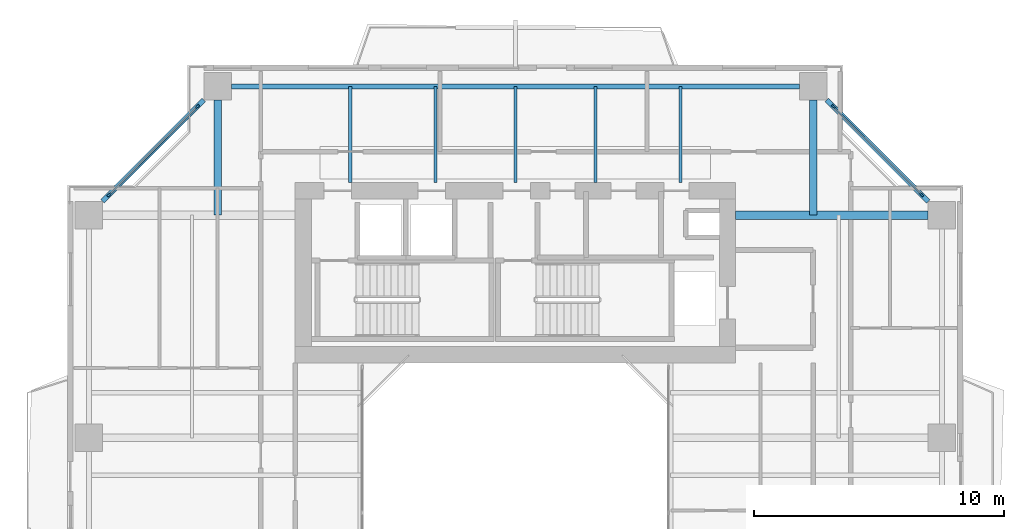
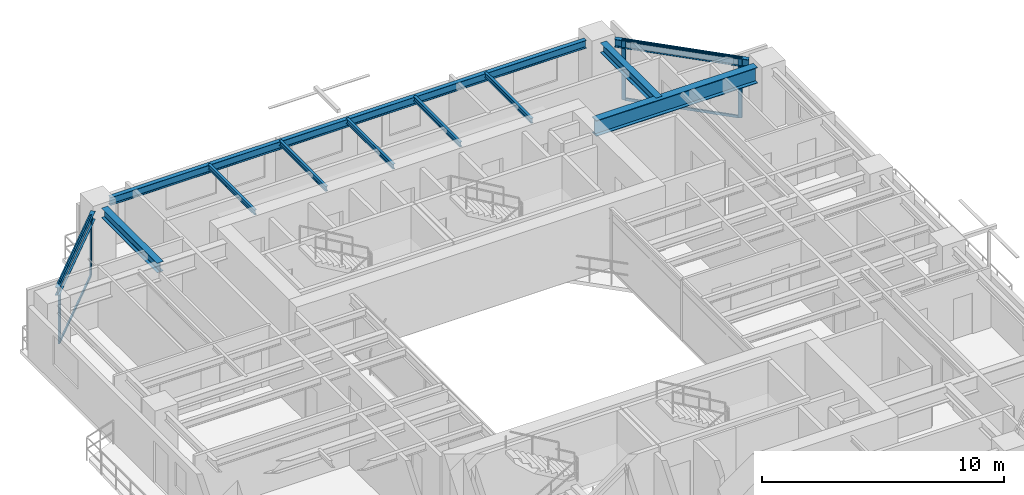
# One storey, part 8 of 16: 11 beams, 8 members, 2 elements without a shape of their own.
"""IFC4 building model written with IfcOpenShell, lengths in metres."""

from ifc_helpers import new_model, si_unit, direction, frame, origin, origin_2d, place, context, subcontext, project, spatial, rectangle, i_section, extrude, source, transform, mapped, material, layer, layer_set, material_profile, profile_set, type_object, element, aggregate, save


model = new_model("IFC4")

# Units and contexts
model_context = context("Model", 3, precision=1e-05, world=origin(), true_north=direction((0.0, 1.0)))
body_context = subcontext(model_context, "Body", "Model", "MODEL_VIEW")
ifc_project = project(units=[si_unit("LENGTHUNIT", "METRE"), si_unit("AREAUNIT", "SQUARE_METRE"), si_unit("VOLUMEUNIT", "CUBIC_METRE"), si_unit("PLANEANGLEUNIT", "RADIAN"), si_unit("MASSUNIT", "GRAM", prefix="KILO"), si_unit("THERMODYNAMICTEMPERATUREUNIT", "KELVIN"), si_unit("POWERUNIT", "WATT")], contexts=[model_context])

# Site, building, storey
site_placement = place(None, origin())
site = spatial("IfcSite", under=ifc_project, at=site_placement, CompositionType="ELEMENT")
building_placement = place(site_placement, origin())
building = spatial("IfcBuilding", under=site, at=building_placement, Name="Qiaomeng Ring Towers", CompositionType="ELEMENT")
storey_placement = place(building_placement, frame((0.0, 0.0, 136.0)))
storey = spatial("IfcBuildingStorey", under=building, at=storey_placement, Name="L39", CompositionType="ELEMENT", Elevation=136.0)

# Beams
ifc_material_1 = material(Name="Steel Q355B", Category="steel")
ifc_material_profile_1 = material_profile(ifc_material_1, i_section(OverallWidth=0.199951171875, OverallDepth=0.39990234375, WebThickness=0.008056640625, FlangeThickness=0.012939453125, FilletRadius=0.01611328125, at=origin_2d()), Name="HN 400x200x8x13")
ifc_profile_set_1 = profile_set([ifc_material_profile_1], Name="Steel Q355B")
beam_type_1 = type_object("IfcBeamType", Name="STR-BM-HN400", PredefinedType="SPANDREL", material=ifc_profile_set_1)
shared_shape_1 = source(origin(), body_context, "Body", "SweptSolid", [
    extrude(i_section(OverallWidth=0.199951171875, OverallDepth=0.39990234375, WebThickness=0.008056640625, FlangeThickness=0.012939453125, FilletRadius=0.01611328125, at=origin_2d()), origin(), (0.0, 0.0, 1.0), 22.7021484375),
])
beam_1_placement = place(storey_placement, frame((30.35107421875, 40.050048828125, 2.830078125), z_axis=(-1.0, 0.0, 0.0), x_axis=(0.0, -1.0, 0.0)))
element("IfcBeam", 1, at=beam_1_placement, inside=storey, type_object=beam_type_1, Name="L39 beam STR-SP-L39-T1-N2-N1", PredefinedType="SPANDREL", context=body_context, shape_type="MappedRepresentation", body=[
    mapped(shared_shape_1, transform((0.0, 0.0, 0.0), x_axis=(1.0, 0.0, 0.0), y_axis=(0.0, 1.0, 0.0), z_axis=(0.0, 0.0, 1.0), scale=1.0)),
])
shared_shape_2 = source(origin(), body_context, "Body", "SweptSolid", [
    extrude(i_section(OverallWidth=0.199951171875, OverallDepth=0.39990234375, WebThickness=0.008056640625, FlangeThickness=0.012939453125, FilletRadius=0.01611328125, at=origin_2d()), origin(), (0.0, 0.0, 1.0), 5.729736328125),
])
for number, where, z_axis, x_axis, name in (
    (2, (35.500732421875, 35.44921875, 2.830078125), (-0.707106781187, 0.707106781187, 0.0), (-0.707106781187, -0.707106781187, 0.0), "L39 beam STR-SP-L39-T1-E4-N2"),
    (3, (6.55078125, 39.500732421875, 2.830078125), (-0.707106781187, -0.707106781187, 0.0), (0.707106781187, -0.707106781187, 0.0), "L39 beam STR-SP-L39-T1-N1-W4"),
):
    element("IfcBeam", number, at=place(storey_placement, frame(where, z_axis=z_axis, x_axis=x_axis)), inside=storey, type_object=beam_type_1, Name=name, PredefinedType="SPANDREL", context=body_context, shape_type="MappedRepresentation", body=[
        mapped(shared_shape_2, transform((0.0, 0.0, 0.0), x_axis=(1.0, 0.0, 0.0), y_axis=(0.0, 1.0, 0.0), z_axis=(0.0, 0.0, 1.0), scale=1.0)),
    ])
ifc_material_2 = material(Name="Steel Q390GJC", Category="steel")
ifc_material_profile_2 = material_profile(ifc_material_2, i_section(OverallWidth=0.35009765625, OverallDepth=0.800048828125, WebThickness=0.01611328125, FlangeThickness=0.028076171875, at=origin_2d()), Name="WH 800x350x16x28")
ifc_profile_set_2 = profile_set([ifc_material_profile_2], Name="Steel Q390GJC")
beam_type_2 = type_object("IfcBeamType", Name="STR-BM-WH800", PredefinedType="BEAM", material=ifc_profile_set_2)
shared_shape_3 = source(origin(), body_context, "Body", "SweptSolid", [
    extrude(i_section(OverallWidth=0.35009765625, OverallDepth=0.800048828125, WebThickness=0.01611328125, FlangeThickness=0.028076171875, at=origin_2d()), origin(), (0.0, 0.0, 1.0), 7.700927734375),
])
beam_2_placement = place(storey_placement, frame((27.800048828125, 34.89990234375, 2.6298828125), z_axis=(1.0, 0.0, 0.0), x_axis=(0.0, 1.0, 0.0)))
element("IfcBeam", 4, at=beam_2_placement, inside=storey, type_object=beam_type_2, Name="L39 beam STR-BM-L39-T1-RAD-E4", PredefinedType="BEAM", context=body_context, shape_type="MappedRepresentation", body=[
    mapped(shared_shape_3, transform((0.0, 0.0, 0.0), x_axis=(1.0, 0.0, 0.0), y_axis=(0.0, 1.0, 0.0), z_axis=(0.0, 0.0, 1.0), scale=1.0)),
])
ifc_material_profile_3 = material_profile(ifc_material_1, i_section(OverallWidth=0.300048828125, OverallDepth=0.488037109375, WebThickness=0.010986328125, FlangeThickness=0.01806640625, FilletRadius=0.02587890625, at=origin_2d()), Name="HM 488x300x11x18")
ifc_profile_set_3 = profile_set([ifc_material_profile_3], Name="Steel Q355B")
beam_type_3 = type_object("IfcBeamType", Name="STR-BM-HM488", PredefinedType="BEAM", material=ifc_profile_set_3)
shared_shape_4 = source(origin(), body_context, "Body", "SweptSolid", [
    extrude(i_section(OverallWidth=0.300048828125, OverallDepth=0.488037109375, WebThickness=0.010986328125, FlangeThickness=0.01806640625, FilletRadius=0.02587890625, at=origin_2d()), origin(), (0.0, 0.0, 1.0), 4.60107421875),
])
for number, where, z_axis, x_axis, name in (
    (5, (7.10009765625, 39.5009765625, 2.785888671875), (0.0, -1.0, 0.0), (1.0, 0.0, 0.0), "L39 beam STR-BM-L39-T1-RAD-N1"),
    (6, (30.89990234375, 39.5009765625, 2.785888671875), (0.0, -1.0, 0.0), (1.0, 0.0, 0.0), "L39 beam STR-BM-L39-T1-RAD-N2"),
):
    element("IfcBeam", number, at=place(storey_placement, frame(where, z_axis=z_axis, x_axis=x_axis)), inside=storey, type_object=beam_type_3, Name=name, PredefinedType="BEAM", context=body_context, shape_type="MappedRepresentation", body=[
        mapped(shared_shape_4, transform((0.0, 0.0, 0.0), x_axis=(1.0, 0.0, 0.0), y_axis=(0.0, 1.0, 0.0), z_axis=(0.0, 0.0, 1.0), scale=1.0)),
    ])
ifc_material_profile_4 = material_profile(ifc_material_1, i_section(OverallWidth=0.125, OverallDepth=0.25, WebThickness=0.006103515625, FlangeThickness=0.009033203125, FilletRadius=0.011962890625, at=origin_2d()), Name="HN 250x125x6x9")
ifc_profile_set_4 = profile_set([ifc_material_profile_4], Name="Steel Q355B")
beam_type_4 = type_object("IfcBeamType", Name="STR-BM-HN250", PredefinedType="JOIST", material=ifc_profile_set_4)
shared_shape_5 = source(origin(), body_context, "Body", "SweptSolid", [
    extrude(i_section(OverallWidth=0.125, OverallDepth=0.25, WebThickness=0.006103515625, FlangeThickness=0.009033203125, FilletRadius=0.011962890625, at=origin_2d()), origin(), (0.0, 0.0, 1.0), 3.85009765625),
])
for number, where, z_axis, x_axis, name in (
    (7, (12.39990234375, 36.199951171875, 2.905029296875), (0.0, 1.0, 0.0), (-1.0, 0.0, 0.0), "L39 beam STR-JST-L39-T1N-1"),
    (8, (15.800048828125, 36.199951171875, 2.905029296875), (0.0, 1.0, 0.0), (-1.0, 0.0, 0.0), "L39 beam STR-JST-L39-T1N-2"),
    (9, (19.0, 36.199951171875, 2.905029296875), (0.0, 1.0, 0.0), (-1.0, 0.0, 0.0), "L39 beam STR-JST-L39-T1N-3"),
    (10, (22.199951171875, 36.199951171875, 2.905029296875), (0.0, 1.0, 0.0), (-1.0, 0.0, 0.0), "L39 beam STR-JST-L39-T1N-4"),
    (11, (25.60009765625, 36.199951171875, 2.905029296875), (0.0, 1.0, 0.0), (-1.0, 0.0, 0.0), "L39 beam STR-JST-L39-T1N-5"),
):
    element("IfcBeam", number, at=place(storey_placement, frame(where, z_axis=z_axis, x_axis=x_axis)), inside=storey, type_object=beam_type_4, Name=name, PredefinedType="JOIST", context=body_context, shape_type="MappedRepresentation", body=[
        mapped(shared_shape_5, transform((0.0, 0.0, 0.0), x_axis=(1.0, 0.0, 0.0), y_axis=(0.0, 1.0, 0.0), z_axis=(0.0, 0.0, 1.0), scale=1.0)),
    ])

# Curtain wall, members
ifc_material_3 = material(Name="Fluorocarbon dark-grey aluminium", Category="aluminium")
ifc_layer = layer(ifc_material_3, 0.14990234375, Name="Fluorocarbon dark-grey aluminium")
ifc_layer_set = layer_set([ifc_layer], Name="Fluorocarbon dark-grey aluminium")
curtain_wall_type = type_object("IfcCurtainWallType", Name="ARC-CW-3", PredefinedType="NOTDEFINED", material=ifc_layer_set)
curtain_wall_1_placement = place(storey_placement, origin())
curtain_wall_1 = element("IfcCurtainWall", 12, at=curtain_wall_1_placement, inside=storey, type_object=curtain_wall_type, Name="L39 Curtain Wall CW3", PredefinedType="NOTDEFINED")
ifc_material_profile_5 = material_profile(ifc_material_3, rectangle(XDim=0.070068359375, YDim=0.179931640625, at=origin_2d()), Name="ALU MULL 70x180")
ifc_profile_set_5 = profile_set([ifc_material_profile_5], Name="Fluorocarbon dark-grey aluminium")
member_type_1 = type_object("IfcMemberType", Name="ARC-CWM-160", PredefinedType="MULLION", material=ifc_profile_set_5)
shared_shape_6 = source(origin(), body_context, "Body", "SweptSolid", [
    extrude(rectangle(XDim=0.070068359375, YDim=0.179931640625, at=origin_2d()), origin(), (0.0, 0.0, 1.0), 3.030029296875),
])
member_1_placement = place(storey_placement, frame((35.2353515625, 35.71484375, 0.0), z_axis=(0.0, 0.0, 1.0), x_axis=(-0.707106781187, -0.707106781187, 0.0)))
member_1 = element("IfcMember", 13, at=member_1_placement, type_object=member_type_1, Name="CW3 mullion 1", PredefinedType="MULLION", context=body_context, shape_type="MappedRepresentation", body=[
    mapped(shared_shape_6, transform((0.0, 0.0, 0.0), x_axis=(1.0, 0.0, 0.0), y_axis=(0.0, 1.0, 0.0), z_axis=(0.0, 0.0, 1.0), scale=1.0)),
])
member_2_placement = place(storey_placement, frame((31.71484375, 39.2353515625, 0.0), z_axis=(0.0, 0.0, 1.0), x_axis=(-0.707106781187, -0.707106781187, 0.0)))
member_2 = element("IfcMember", 14, at=member_2_placement, type_object=member_type_1, Name="CW3 mullion 2", PredefinedType="MULLION", context=body_context, shape_type="MappedRepresentation", body=[
    mapped(shared_shape_6, transform((0.0, 0.0, 0.0), x_axis=(1.0, 0.0, 0.0), y_axis=(0.0, 1.0, 0.0), z_axis=(0.0, 0.0, 1.0), scale=1.0)),
])

curtain_wall_2_placement = place(storey_placement, origin())
curtain_wall_2 = element("IfcCurtainWall", 15, at=curtain_wall_2_placement, inside=storey, type_object=curtain_wall_type, Name="L39 Curtain Wall CW3", PredefinedType="NOTDEFINED")
member_3_placement = place(storey_placement, frame((6.28515625, 39.2353515625, 0.0), z_axis=(0.0, 0.0, 1.0), x_axis=(0.707106781187, -0.707106781187, 0.0)))
member_3 = element("IfcMember", 16, at=member_3_placement, type_object=member_type_1, Name="CW3 mullion 1", PredefinedType="MULLION", context=body_context, shape_type="MappedRepresentation", body=[
    mapped(shared_shape_6, transform((0.0, 0.0, 0.0), x_axis=(1.0, 0.0, 0.0), y_axis=(0.0, 1.0, 0.0), z_axis=(0.0, 0.0, 1.0), scale=1.0)),
])
member_4_placement = place(storey_placement, frame((2.7646484375, 35.71484375, 0.0), z_axis=(0.0, 0.0, 1.0), x_axis=(0.707106781187, -0.707106781187, 0.0)))
member_4 = element("IfcMember", 17, at=member_4_placement, type_object=member_type_1, Name="CW3 mullion 2", PredefinedType="MULLION", context=body_context, shape_type="MappedRepresentation", body=[
    mapped(shared_shape_6, transform((0.0, 0.0, 0.0), x_axis=(1.0, 0.0, 0.0), y_axis=(0.0, 1.0, 0.0), z_axis=(0.0, 0.0, 1.0), scale=1.0)),
])

# Member
ifc_material_profile_6 = material_profile(ifc_material_3, rectangle(XDim=0.06494140625, YDim=0.1298828125, at=origin_2d()), Name="ALU TRAN 65x130")
ifc_profile_set_6 = profile_set([ifc_material_profile_6], Name="Fluorocarbon dark-grey aluminium")
member_type_2 = type_object("IfcMemberType", Name="ARC-CWT-120", PredefinedType="USERDEFINED", material=ifc_profile_set_6)
shared_shape_7 = source(origin(), body_context, "Body", "SweptSolid", [
    extrude(rectangle(XDim=0.06494140625, YDim=0.1298828125, at=origin_2d()), origin(), (0.0, 0.0, 1.0), 4.90869140625),
])
member_5_placement = place(storey_placement, frame((35.21044921875, 35.739501953125, 0.032470703125), z_axis=(-0.707106781187, 0.707106781187, 0.0), x_axis=(-0.707106781187, -0.707106781187, 0.0)))
member_5 = element("IfcMember", 18, at=member_5_placement, type_object=member_type_2, Name="CW3 transom 1.1", ObjectType="TRANSOM", PredefinedType="USERDEFINED", context=body_context, shape_type="MappedRepresentation", body=[
    mapped(shared_shape_7, transform((0.0, 0.0, 0.0), x_axis=(1.0, 0.0, 0.0), y_axis=(0.0, 1.0, 0.0), z_axis=(0.0, 0.0, 1.0), scale=1.0)),
])

member_6_placement = place(storey_placement, frame((35.21044921875, 35.739501953125, 2.99755859375), z_axis=(-0.707106781187, 0.707106781187, 0.0), x_axis=(-0.707106781187, -0.707106781187, 0.0)))
member_6 = element("IfcMember", 19, at=member_6_placement, type_object=member_type_2, Name="CW3 transom 1.2", ObjectType="TRANSOM", PredefinedType="USERDEFINED", context=body_context, shape_type="MappedRepresentation", body=[
    mapped(shared_shape_7, transform((0.0, 0.0, 0.0), x_axis=(1.0, 0.0, 0.0), y_axis=(0.0, 1.0, 0.0), z_axis=(0.0, 0.0, 1.0), scale=1.0)),
])

aggregate(curtain_wall_1, [member_1, member_2, member_5, member_6])

member_7_placement = place(storey_placement, frame((6.260498046875, 39.21044921875, 0.032470703125), z_axis=(-0.707106781187, -0.707106781187, 0.0), x_axis=(0.707106781187, -0.707106781187, 0.0)))
member_7 = element("IfcMember", 20, at=member_7_placement, type_object=member_type_2, Name="CW3 transom 1.1", ObjectType="TRANSOM", PredefinedType="USERDEFINED", context=body_context, shape_type="MappedRepresentation", body=[
    mapped(shared_shape_7, transform((0.0, 0.0, 0.0), x_axis=(1.0, 0.0, 0.0), y_axis=(0.0, 1.0, 0.0), z_axis=(0.0, 0.0, 1.0), scale=1.0)),
])

member_8_placement = place(storey_placement, frame((6.260498046875, 39.21044921875, 2.99755859375), z_axis=(-0.707106781187, -0.707106781187, 0.0), x_axis=(0.707106781187, -0.707106781187, 0.0)))
member_8 = element("IfcMember", 21, at=member_8_placement, type_object=member_type_2, Name="CW3 transom 1.2", ObjectType="TRANSOM", PredefinedType="USERDEFINED", context=body_context, shape_type="MappedRepresentation", body=[
    mapped(shared_shape_7, transform((0.0, 0.0, 0.0), x_axis=(1.0, 0.0, 0.0), y_axis=(0.0, 1.0, 0.0), z_axis=(0.0, 0.0, 1.0), scale=1.0)),
])

aggregate(curtain_wall_2, [member_3, member_4, member_7, member_8])

save(model, "model.ifc")
